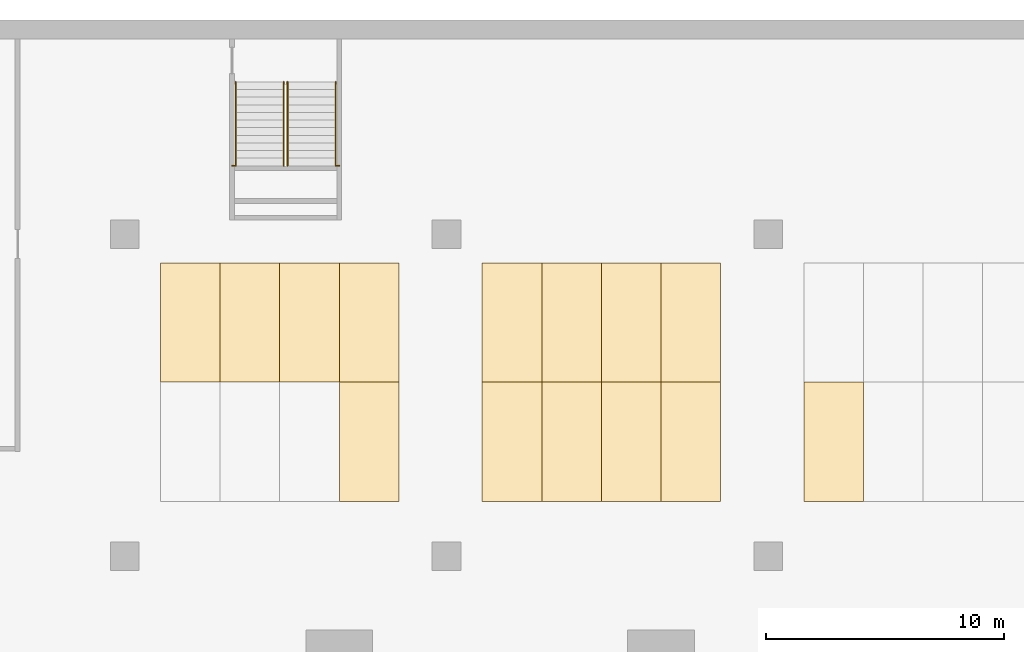
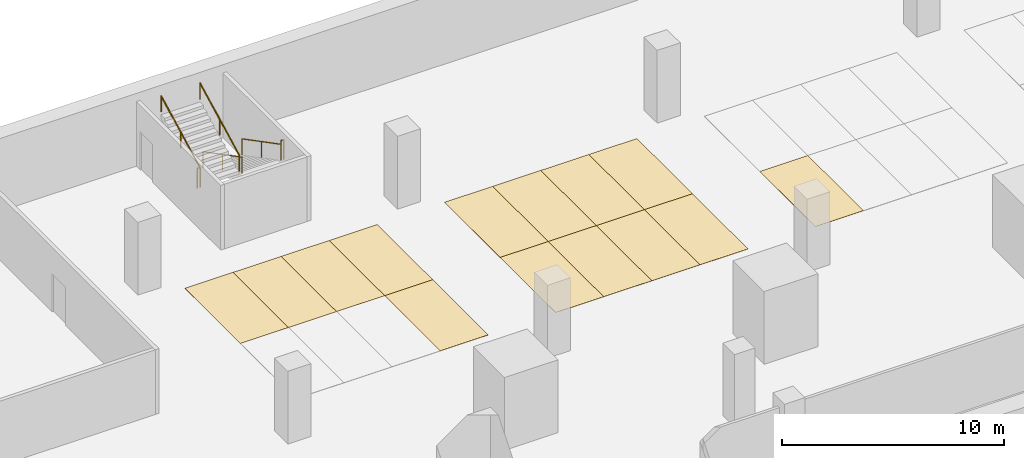
# One storey, part 25 of 31: 14 coverings, 6 railings.
"""IFC4 building model written with IfcOpenShell, lengths in metres."""

from ifc_helpers import new_model, si_unit, direction, frame, origin, origin_2d, place, context, subcontext, project, spatial, polyline, circle, outline, extrude, source, transform, mapped, material, layer, layer_set, type_object, element, save


model = new_model("IFC4")

# Units and contexts
model_context = context("Model", 3, precision=1e-05, world=origin(), true_north=direction((0.0, 1.0)))
body_context = subcontext(model_context, "Body", "Model", "MODEL_VIEW")
ifc_project = project(units=[si_unit("LENGTHUNIT", "METRE"), si_unit("AREAUNIT", "SQUARE_METRE"), si_unit("VOLUMEUNIT", "CUBIC_METRE"), si_unit("PLANEANGLEUNIT", "RADIAN"), si_unit("MASSUNIT", "GRAM", prefix="KILO")], contexts=[model_context])

# Site, building, storey
site_placement = place(None, origin())
site = spatial("IfcSite", under=ifc_project, at=site_placement, CompositionType="ELEMENT")
building_placement = place(site_placement, origin())
building = spatial("IfcBuilding", under=site, at=building_placement, Name="Altepetl Exchange Towers", CompositionType="ELEMENT")
storey_placement = place(building_placement, frame((0.0, 0.0, -4.0)))
storey = spatial("IfcBuildingStorey", under=building, at=storey_placement, Name="B1 Basement services", CompositionType="ELEMENT", Elevation=-4.0)

# Coverings
ifc_material_1 = material(Name="Road marking paint")
ifc_layer = layer(ifc_material_1, 0.010009765625)
ifc_layer_set = layer_set([ifc_layer], Name="Road marking paint")
covering_type = type_object("IfcCoveringType", Name="Parking bay marking 2500 x 5000", PredefinedType="FLOORING", material=ifc_layer_set)
covering_1_placement = place(storey_placement, origin())
element("IfcCovering", 1, at=covering_1_placement, inside=storey, type_object=covering_type, Name="Parking bay B1-115", PredefinedType="FLOORING", context=body_context, shape_type="SweptSolid", body=[
    extrude(outline(polyline([(31.5, 78.800048828125), (34.0, 78.800048828125), (34.0, 83.800048828125), (31.5, 83.800048828125), (31.5, 78.800048828125)])), origin(), (0.0, 0.0, 1.0), 0.010009765625),
])
covering_2_placement = place(storey_placement, origin())
element("IfcCovering", 2, at=covering_2_placement, inside=storey, type_object=covering_type, Name="Parking bay B1-116", PredefinedType="FLOORING", context=body_context, shape_type="SweptSolid", body=[
    extrude(outline(polyline([(37.5, 78.800048828125), (40.0, 78.800048828125), (40.0, 83.800048828125), (37.5, 83.800048828125), (37.5, 78.800048828125)])), origin(), (0.0, 0.0, 1.0), 0.010009765625),
])
covering_3_placement = place(storey_placement, origin())
element("IfcCovering", 3, at=covering_3_placement, inside=storey, type_object=covering_type, Name="Parking bay B1-117", PredefinedType="FLOORING", context=body_context, shape_type="SweptSolid", body=[
    extrude(outline(polyline([(40.0, 78.800048828125), (42.5, 78.800048828125), (42.5, 83.800048828125), (40.0, 83.800048828125), (40.0, 78.800048828125)])), origin(), (0.0, 0.0, 1.0), 0.010009765625),
])
covering_4_placement = place(storey_placement, origin())
element("IfcCovering", 4, at=covering_4_placement, inside=storey, type_object=covering_type, Name="Parking bay B1-118", PredefinedType="FLOORING", context=body_context, shape_type="SweptSolid", body=[
    extrude(outline(polyline([(42.5, 78.800048828125), (45.0, 78.800048828125), (45.0, 83.800048828125), (42.5, 83.800048828125), (42.5, 78.800048828125)])), origin(), (0.0, 0.0, 1.0), 0.010009765625),
])
covering_5_placement = place(storey_placement, origin())
element("IfcCovering", 5, at=covering_5_placement, inside=storey, type_object=covering_type, Name="Parking bay B1-119", PredefinedType="FLOORING", context=body_context, shape_type="SweptSolid", body=[
    extrude(outline(polyline([(45.0, 78.800048828125), (47.5, 78.800048828125), (47.5, 83.800048828125), (45.0, 83.800048828125), (45.0, 78.800048828125)])), origin(), (0.0, 0.0, 1.0), 0.010009765625),
])
covering_6_placement = place(storey_placement, origin())
element("IfcCovering", 6, at=covering_6_placement, inside=storey, type_object=covering_type, Name="Parking bay B1-120", PredefinedType="FLOORING", context=body_context, shape_type="SweptSolid", body=[
    extrude(outline(polyline([(51.0, 78.800048828125), (53.5, 78.800048828125), (53.5, 83.800048828125), (51.0, 83.800048828125), (51.0, 78.800048828125)])), origin(), (0.0, 0.0, 1.0), 0.010009765625),
])
covering_7_placement = place(storey_placement, origin())
element("IfcCovering", 7, at=covering_7_placement, inside=storey, type_object=covering_type, Name="Parking bay B1-130", PredefinedType="FLOORING", context=body_context, shape_type="SweptSolid", body=[
    extrude(outline(polyline([(24.0, 83.800048828125), (26.5, 83.800048828125), (26.5, 88.800048828125), (24.0, 88.800048828125), (24.0, 83.800048828125)])), origin(), (0.0, 0.0, 1.0), 0.010009765625),
])
covering_8_placement = place(storey_placement, origin())
element("IfcCovering", 8, at=covering_8_placement, inside=storey, type_object=covering_type, Name="Parking bay B1-131", PredefinedType="FLOORING", context=body_context, shape_type="SweptSolid", body=[
    extrude(outline(polyline([(26.5, 83.800048828125), (29.0, 83.800048828125), (29.0, 88.800048828125), (26.5, 88.800048828125), (26.5, 83.800048828125)])), origin(), (0.0, 0.0, 1.0), 0.010009765625),
])
covering_9_placement = place(storey_placement, origin())
element("IfcCovering", 9, at=covering_9_placement, inside=storey, type_object=covering_type, Name="Parking bay B1-132", PredefinedType="FLOORING", context=body_context, shape_type="SweptSolid", body=[
    extrude(outline(polyline([(29.0, 83.800048828125), (31.5, 83.800048828125), (31.5, 88.800048828125), (29.0, 88.800048828125), (29.0, 83.800048828125)])), origin(), (0.0, 0.0, 1.0), 0.010009765625),
])
covering_10_placement = place(storey_placement, origin())
element("IfcCovering", 10, at=covering_10_placement, inside=storey, type_object=covering_type, Name="Parking bay B1-133", PredefinedType="FLOORING", context=body_context, shape_type="SweptSolid", body=[
    extrude(outline(polyline([(31.5, 83.800048828125), (34.0, 83.800048828125), (34.0, 88.800048828125), (31.5, 88.800048828125), (31.5, 83.800048828125)])), origin(), (0.0, 0.0, 1.0), 0.010009765625),
])
covering_11_placement = place(storey_placement, origin())
element("IfcCovering", 11, at=covering_11_placement, inside=storey, type_object=covering_type, Name="Parking bay B1-134", PredefinedType="FLOORING", context=body_context, shape_type="SweptSolid", body=[
    extrude(outline(polyline([(37.5, 83.800048828125), (40.0, 83.800048828125), (40.0, 88.800048828125), (37.5, 88.800048828125), (37.5, 83.800048828125)])), origin(), (0.0, 0.0, 1.0), 0.010009765625),
])
covering_12_placement = place(storey_placement, origin())
element("IfcCovering", 12, at=covering_12_placement, inside=storey, type_object=covering_type, Name="Parking bay B1-135", PredefinedType="FLOORING", context=body_context, shape_type="SweptSolid", body=[
    extrude(outline(polyline([(40.0, 83.800048828125), (42.5, 83.800048828125), (42.5, 88.800048828125), (40.0, 88.800048828125), (40.0, 83.800048828125)])), origin(), (0.0, 0.0, 1.0), 0.010009765625),
])
covering_13_placement = place(storey_placement, origin())
element("IfcCovering", 13, at=covering_13_placement, inside=storey, type_object=covering_type, Name="Parking bay B1-136", PredefinedType="FLOORING", context=body_context, shape_type="SweptSolid", body=[
    extrude(outline(polyline([(42.5, 83.800048828125), (45.0, 83.800048828125), (45.0, 88.800048828125), (42.5, 88.800048828125), (42.5, 83.800048828125)])), origin(), (0.0, 0.0, 1.0), 0.010009765625),
])
covering_14_placement = place(storey_placement, origin())
element("IfcCovering", 14, at=covering_14_placement, inside=storey, type_object=covering_type, Name="Parking bay B1-137", PredefinedType="FLOORING", context=body_context, shape_type="SweptSolid", body=[
    extrude(outline(polyline([(45.0, 83.800048828125), (47.5, 83.800048828125), (47.5, 88.800048828125), (45.0, 88.800048828125), (45.0, 83.800048828125)])), origin(), (0.0, 0.0, 1.0), 0.010009765625),
])

# Railings
ifc_material_2 = material(Name="Laminated glass and steel", Category="steel")
railing_type_1 = type_object("IfcRailingType", Name="Hall gallery guard 1100", PredefinedType="GUARDRAIL", material=ifc_material_2)
shared_shape_1 = source(origin(), body_context, "Body", "SweptSolid", [
    extrude(circle(Radius=0.02001953125, at=origin_2d()), origin(), (0.0, 0.0, 1.0), 1.050048828125),
])
for number, where, name in (
    (15, (31.5, 92.8798828125, 2.0), "rail:P:B1:ES5land0"),
    (16, (27.14990234375, 92.8798828125, 2.0), "rail:P:B1:ES5land1"),
):
    element("IfcRailing", number, at=place(storey_placement, frame(where)), inside=storey, type_object=railing_type_1, Name=name, PredefinedType="GUARDRAIL", context=body_context, shape_type="SweptSolid", body=[
        extrude(circle(Radius=0.02490234375, at=origin_2d()), frame((0.0, 0.0, 1.0751953125), z_axis=(-1.0, 0.0, 0.0), x_axis=(0.0, -1.0, 0.0)), (0.0, 0.0, 1.0), 0.14990234375),
        mapped(shared_shape_1, transform((0.0, 0.0, 0.0))),
        mapped(shared_shape_1, transform((-0.14990234375, 0.0, 0.0))),
    ])
ifc_material_3 = material(Name="Stainless steel", Category="steel")
railing_type_2 = type_object("IfcRailingType", Name="Stair handrail 900", PredefinedType="HANDRAIL", material=ifc_material_3)
shared_shape_2 = source(origin(), body_context, "Body", "SweptSolid", [
    extrude(circle(Radius=0.02001953125, at=origin_2d()), origin(), (0.0, 0.0, 1.0), 0.849853515625),
])
for number, where, name in (
    (17, (31.35009765625, 96.39990234375, 0.166748046875), "rail:P:B1:ES5:1a"),
    (18, (29.324951171875, 96.39990234375, 0.166748046875), "rail:P:B1:ES5:1b"),
):
    element("IfcRailing", number, at=place(storey_placement, frame(where)), inside=storey, type_object=railing_type_2, Name=name, PredefinedType="HANDRAIL", context=body_context, shape_type="SweptSolid", body=[
        extrude(circle(Radius=0.02490234375, at=origin_2d()), frame((0.0, 0.0, 0.875), z_axis=(0.0, -0.886923534906, 0.461916272965), x_axis=(1.0, 0.0, 0.0)), (0.0, 0.0, 1.0), 3.96875),
        mapped(shared_shape_2, transform((0.0, 0.0, 0.0))),
        mapped(shared_shape_2, transform((0.0, -1.760009765625, 0.91650390625))),
        mapped(shared_shape_2, transform((0.0, -3.52001953125, 1.833251953125))),
    ])
for number, where, name in (
    (19, (29.175048828125, 92.8798828125, 2.166748046875), "rail:P:B1:ES5:2a"),
    (20, (27.14990234375, 92.8798828125, 2.166748046875), "rail:P:B1:ES5:2b"),
):
    element("IfcRailing", number, at=place(storey_placement, frame(where)), inside=storey, type_object=railing_type_2, Name=name, PredefinedType="HANDRAIL", context=body_context, shape_type="SweptSolid", body=[
        extrude(circle(Radius=0.02490234375, at=origin_2d()), frame((0.0, 0.0, 0.875), z_axis=(0.0, 0.886923534906, 0.461916272965), x_axis=(-1.0, 0.0, 0.0)), (0.0, 0.0, 1.0), 3.96875),
        mapped(shared_shape_2, transform((0.0, 0.0, 0.0))),
        mapped(shared_shape_2, transform((0.0, 1.760009765625, 0.91650390625))),
        mapped(shared_shape_2, transform((0.0, 3.52001953125, 1.833251953125))),
    ])

save(model, "model.ifc")
